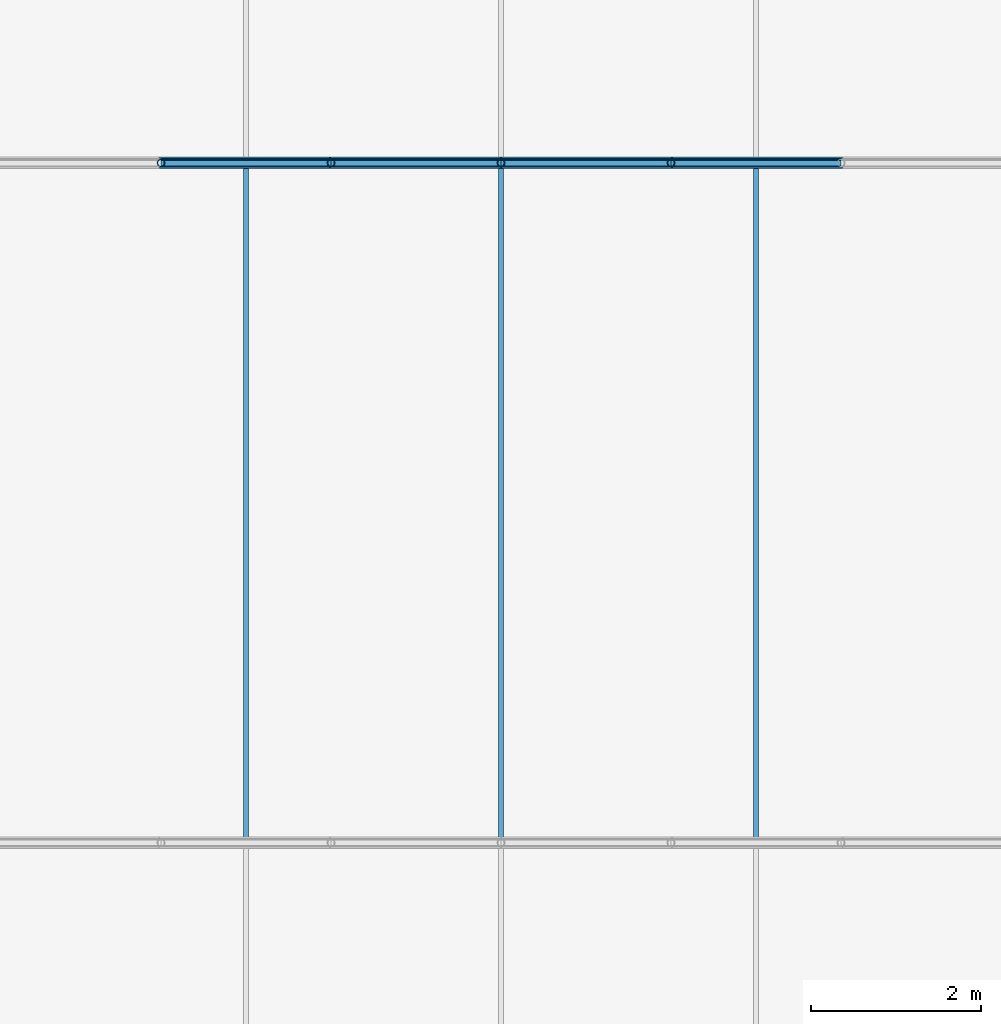
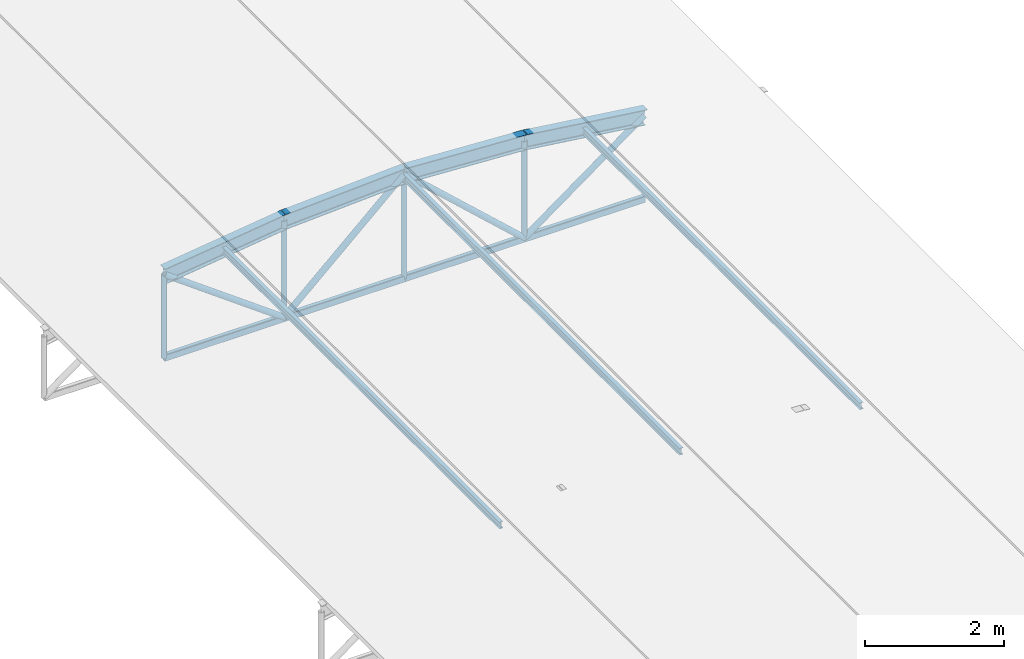
# One storey, part 36 of 54: 19 members.
"""IFC4 building model written with IfcOpenShell, lengths in metres."""

from ifc_helpers import new_model, si_unit, derived_unit, direction, frame, origin, origin_2d, place, context, subcontext, project, spatial, hollow_rectangle, hollow_circle, i_section, extrude, material, material_profile, profile_set, type_object, element, save


model = new_model("IFC4")

# Units and contexts
model_context = context("Model", 3, precision=1e-05, world=origin(), true_north=direction((0.0, 1.0)))
body_context = subcontext(model_context, "Body", "Model", "MODEL_VIEW")
ifc_project = project(units=[si_unit("LENGTHUNIT", "METRE"), si_unit("AREAUNIT", "SQUARE_METRE"), si_unit("VOLUMEUNIT", "CUBIC_METRE"), si_unit("PLANEANGLEUNIT", "RADIAN"), si_unit("MASSUNIT", "GRAM", prefix="KILO"), derived_unit("THERMALTRANSMITTANCEUNIT", [(si_unit("POWERUNIT", "WATT"), 1), (si_unit("LENGTHUNIT", "METRE"), -2), (si_unit("THERMODYNAMICTEMPERATUREUNIT", "KELVIN"), -1)])], contexts=[model_context])

# Site, building, storey
site_placement = place(None, origin())
site = spatial("IfcSite", under=ifc_project, at=site_placement, CompositionType="ELEMENT")
building_placement = place(site_placement, origin())
building = spatial("IfcBuilding", under=site, at=building_placement, Name="Keldorne Ridge Multi-Sports Centre", CompositionType="ELEMENT")
storey_placement = place(building_placement, frame((0.0, 0.0, 22.199951171875)))
storey = spatial("IfcBuildingStorey", under=building, at=storey_placement, Name="ROOF", CompositionType="ELEMENT", Elevation=22.199951171875)

# Members
ifc_material = material(Name="Steel S355", Category="steel")
ifc_material_profile_1 = material_profile(ifc_material, i_section(OverallWidth=0.06396484375, OverallDepth=0.1201171875, WebThickness=0.00439453125, FlangeThickness=0.00634765625, FilletRadius=0.007080078125, at=origin_2d()), Name="IPE 120")
ifc_profile_set_1 = profile_set([ifc_material_profile_1], Name="Steel S355")
member_type_1 = type_object("IfcMemberType", Name="MEM-PR-05", PredefinedType="PURLIN", material=ifc_profile_set_1)
for number, where, z_axis, x_axis, name in (
    (1, (87.0, 66.0, -12.179931640625), (0.0, 1.0, 0.0), (-1.0, 0.0, 0.0), "Public Passage canopy purlin 87.8"),
    (2, (90.0, 66.0, -11.929931640625), (0.0, 1.0, 0.0), (-1.0, 0.0, 0.0), "Public Passage canopy purlin 90.8"),
    (3, (93.0, 66.0, -12.179931640625), (0.0, 1.0, 0.0), (-1.0, 0.0, 0.0), "Public Passage canopy purlin 93.8"),
):
    element("IfcMember", number, at=place(storey_placement, frame(where, z_axis=z_axis, x_axis=x_axis)), inside=storey, type_object=member_type_1, Name=name, PredefinedType="PURLIN", context=body_context, shape_type="SweptSolid", body=[
        extrude(i_section(OverallWidth=0.06396484375, OverallDepth=0.1201171875, WebThickness=0.00439453125, FlangeThickness=0.00634765625, FilletRadius=0.007080078125, at=origin_2d()), origin(), (0.0, 0.0, 1.0), 8.0),
    ])
ifc_material_profile_2 = material_profile(ifc_material, i_section(OverallWidth=0.135009765625, OverallDepth=0.27001953125, WebThickness=0.006591796875, FlangeThickness=0.01025390625, FilletRadius=0.014892578125, at=origin_2d()), Name="IPE 270")
ifc_profile_set_2 = profile_set([ifc_material_profile_2], Name="Steel S355")
member_type_2 = type_object("IfcMemberType", Name="MEM-RF-02", PredefinedType="RAFTER", material=ifc_profile_set_2)
member_1_placement = place(storey_placement, frame((86.0, 74.0, -12.260009765625), z_axis=(0.991654998325, 0.0, 0.128919991848), x_axis=(0.0, 1.0, 0.0)))
element("IfcMember", 4, at=member_1_placement, inside=storey, type_object=member_type_2, Name="Public Passage bowstring arch top chord 09.2", PredefinedType="RAFTER", context=body_context, shape_type="SweptSolid", body=[
    extrude(i_section(OverallWidth=0.135009765625, OverallDepth=0.27001953125, WebThickness=0.006591796875, FlangeThickness=0.01025390625, FilletRadius=0.014892578125, at=origin_2d()), origin(), (0.0, 0.0, 1.0), 2.016845703125),
])
for number, where, z_axis, x_axis, name in (
    (5, (88.0, 74.0, -12.0), (0.998487980686, 0.0, 0.054970468663), (0.0, 1.0, 0.0), "Public Passage bowstring arch top chord 09.3"),
    (6, (90.0, 74.0, -11.889892578125), (0.998487980686, 0.0, -0.054970468663), (0.0, 1.0, 0.0), "Public Passage bowstring arch top chord 09.4"),
):
    element("IfcMember", number, at=place(storey_placement, frame(where, z_axis=z_axis, x_axis=x_axis)), inside=storey, type_object=member_type_2, Name=name, PredefinedType="RAFTER", context=body_context, shape_type="SweptSolid", body=[
        extrude(i_section(OverallWidth=0.135009765625, OverallDepth=0.27001953125, WebThickness=0.006591796875, FlangeThickness=0.01025390625, FilletRadius=0.014892578125, at=origin_2d()), origin(), (0.0, 0.0, 1.0), 2.0029296875),
    ])
member_2_placement = place(storey_placement, frame((92.0, 74.0, -12.0), z_axis=(0.991654998325, 0.0, -0.128919991848), x_axis=(0.0, 1.0, 0.0)))
element("IfcMember", 7, at=member_2_placement, inside=storey, type_object=member_type_2, Name="Public Passage bowstring arch top chord 09.5", PredefinedType="RAFTER", context=body_context, shape_type="SweptSolid", body=[
    extrude(i_section(OverallWidth=0.135009765625, OverallDepth=0.27001953125, WebThickness=0.006591796875, FlangeThickness=0.01025390625, FilletRadius=0.014892578125, at=origin_2d()), origin(), (0.0, 0.0, 1.0), 2.016845703125),
])
ifc_material_profile_3 = material_profile(ifc_material, hollow_rectangle(XDim=0.080078125, YDim=0.1201171875, WallThickness=0.008056640625, InnerFilletRadius=0.008056640625, OuterFilletRadius=0.01611328125, at=origin_2d()), Name="RHS 120x80x8")
ifc_profile_set_3 = profile_set([ifc_material_profile_3], Name="Steel S355")
member_type_3 = type_object("IfcMemberType", Name="MEM-TC-07", PredefinedType="CHORD", material=ifc_profile_set_3)
for number, where, z_axis, x_axis, name in (
    (8, (86.0, 74.0, -13.719970703125), (1.0, 0.0, 0.0), (0.0, 1.0, 0.0), "Public Passage bowstring tie chord 09.2"),
    (9, (88.0, 74.0, -13.719970703125), (1.0, 0.0, 0.0), (0.0, 1.0, 0.0), "Public Passage bowstring tie chord 09.3"),
    (10, (90.0, 74.0, -13.719970703125), (1.0, 0.0, 0.0), (0.0, 1.0, 0.0), "Public Passage bowstring tie chord 09.4"),
    (11, (92.0, 74.0, -13.719970703125), (1.0, 0.0, 0.0), (0.0, 1.0, 0.0), "Public Passage bowstring tie chord 09.5"),
):
    element("IfcMember", number, at=place(storey_placement, frame(where, z_axis=z_axis, x_axis=x_axis)), inside=storey, type_object=member_type_3, Name=name, PredefinedType="CHORD", context=body_context, shape_type="SweptSolid", body=[
        extrude(hollow_rectangle(XDim=0.080078125, YDim=0.1201171875, WallThickness=0.008056640625, InnerFilletRadius=0.008056640625, OuterFilletRadius=0.01611328125, at=origin_2d()), origin(), (0.0, 0.0, 1.0), 2.0),
    ])
ifc_material_profile_4 = material_profile(ifc_material, hollow_circle(Radius=0.05078125, WallThickness=0.00634765625, at=origin_2d()), Name="CHS 101.6x6.3")
ifc_profile_set_4 = profile_set([ifc_material_profile_4], Name="Steel S355")
member_type_4 = type_object("IfcMemberType", Name="MEM-TD-05", PredefinedType="BRACE", material=ifc_profile_set_4)
member_3_placement = place(storey_placement, frame((86.0, 74.0, -12.260009765625), z_axis=(0.8076945033, 0.0, -0.589601212125), x_axis=(0.0, 1.0, 0.0)))
element("IfcMember", 12, at=member_3_placement, inside=storey, type_object=member_type_4, Name="Public Passage bowstring web diagonal 09.2", PredefinedType="BRACE", context=body_context, shape_type="SweptSolid", body=[
    extrude(hollow_circle(Radius=0.05078125, WallThickness=0.00634765625, at=origin_2d()), origin(), (0.0, 0.0, 1.0), 2.47607421875),
])
for number, where, z_axis, x_axis, name in (
    (13, (88.0, 74.0, -13.719970703125), (0.737751969913, 0.0, 0.675071870907), (0.0, 1.0, 0.0), "Public Passage bowstring web diagonal 09.3"),
    (14, (90.0, 74.0, -11.889892578125), (0.737751969913, 0.0, -0.675071870907), (0.0, 1.0, 0.0), "Public Passage bowstring web diagonal 09.4"),
):
    element("IfcMember", number, at=place(storey_placement, frame(where, z_axis=z_axis, x_axis=x_axis)), inside=storey, type_object=member_type_4, Name=name, PredefinedType="BRACE", context=body_context, shape_type="SweptSolid", body=[
        extrude(hollow_circle(Radius=0.05078125, WallThickness=0.00634765625, at=origin_2d()), origin(), (0.0, 0.0, 1.0), 2.7109375),
    ])
member_4_placement = place(storey_placement, frame((92.0, 74.0, -13.719970703125), z_axis=(0.8076945033, 0.0, 0.589601212125), x_axis=(0.0, 1.0, 0.0)))
element("IfcMember", 15, at=member_4_placement, inside=storey, type_object=member_type_4, Name="Public Passage bowstring web diagonal 09.5", PredefinedType="BRACE", context=body_context, shape_type="SweptSolid", body=[
    extrude(hollow_circle(Radius=0.05078125, WallThickness=0.00634765625, at=origin_2d()), origin(), (0.0, 0.0, 1.0), 2.47607421875),
])
ifc_material_profile_5 = material_profile(ifc_material, hollow_circle(Radius=0.04443359375, WallThickness=0.0048828125, at=origin_2d()), Name="CHS 88.9x5")
ifc_profile_set_5 = profile_set([ifc_material_profile_5], Name="Steel S355")
member_type_5 = type_object("IfcMemberType", Name="MEM-TV-07", PredefinedType="STRUT", material=ifc_profile_set_5)
member_5_placement = place(storey_placement, frame((86.0, 74.0, -13.719970703125), z_axis=(0.0, 0.0, 1.0), x_axis=(1.0, 0.0, 0.0)))
element("IfcMember", 16, at=member_5_placement, inside=storey, type_object=member_type_5, Name="Public Passage bowstring hanger 09.2", PredefinedType="STRUT", context=body_context, shape_type="SweptSolid", body=[
    extrude(hollow_circle(Radius=0.04443359375, WallThickness=0.0048828125, at=origin_2d()), origin(), (0.0, 0.0, 1.0), 1.4599609375),
])
member_6_placement = place(storey_placement, frame((88.0, 74.0, -13.719970703125), z_axis=(0.0, 0.0, 1.0), x_axis=(1.0, 0.0, 0.0)))
element("IfcMember", 17, at=member_6_placement, inside=storey, type_object=member_type_5, Name="Public Passage bowstring hanger 09.3", PredefinedType="STRUT", context=body_context, shape_type="SweptSolid", body=[
    extrude(hollow_circle(Radius=0.04443359375, WallThickness=0.0048828125, at=origin_2d()), origin(), (0.0, 0.0, 1.0), 1.719970703125),
])
member_7_placement = place(storey_placement, frame((90.0, 74.0, -13.719970703125), z_axis=(0.0, 0.0, 1.0), x_axis=(1.0, 0.0, 0.0)))
element("IfcMember", 18, at=member_7_placement, inside=storey, type_object=member_type_5, Name="Public Passage bowstring hanger 09.4", PredefinedType="STRUT", context=body_context, shape_type="SweptSolid", body=[
    extrude(hollow_circle(Radius=0.04443359375, WallThickness=0.0048828125, at=origin_2d()), origin(), (0.0, 0.0, 1.0), 1.830078125),
])
member_8_placement = place(storey_placement, frame((92.0, 74.0, -13.719970703125), z_axis=(0.0, 0.0, 1.0), x_axis=(1.0, 0.0, 0.0)))
element("IfcMember", 19, at=member_8_placement, inside=storey, type_object=member_type_5, Name="Public Passage bowstring hanger 09.5", PredefinedType="STRUT", context=body_context, shape_type="SweptSolid", body=[
    extrude(hollow_circle(Radius=0.04443359375, WallThickness=0.0048828125, at=origin_2d()), origin(), (0.0, 0.0, 1.0), 1.719970703125),
])

save(model, "model.ifc")
